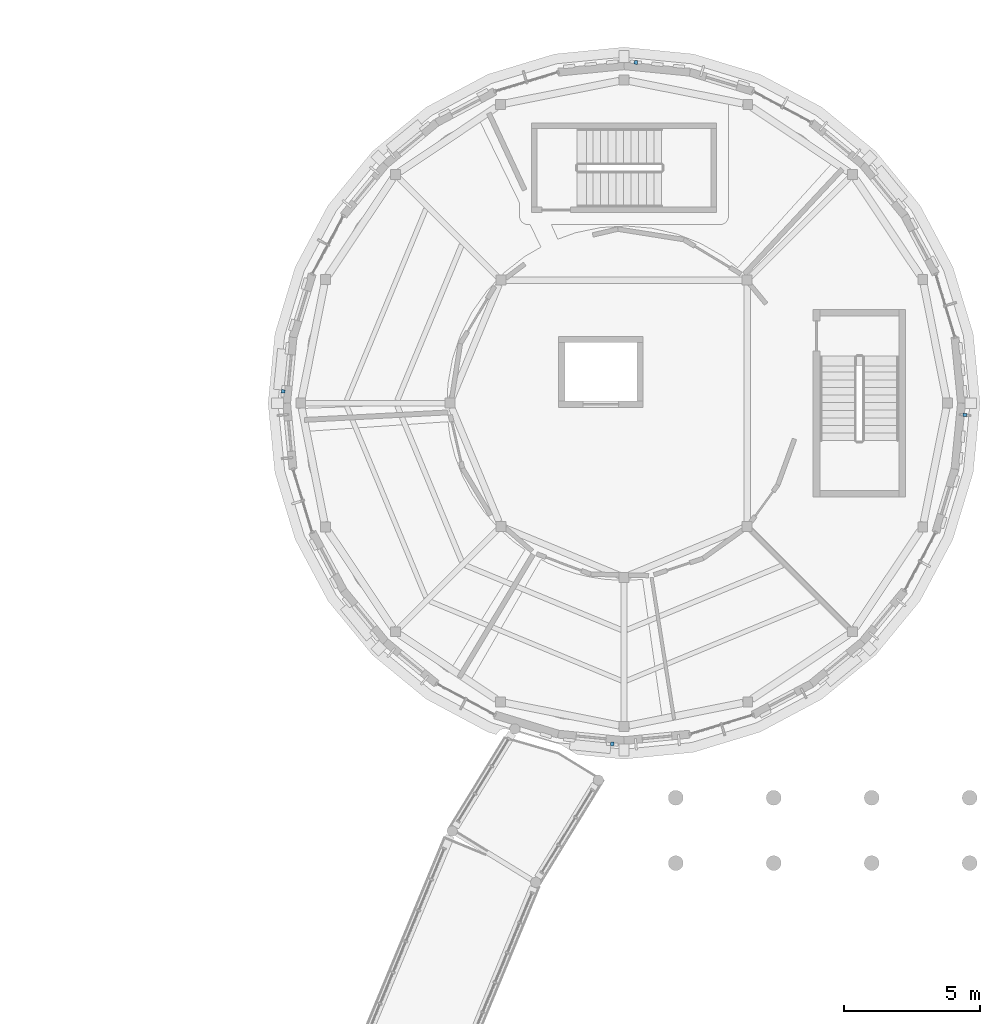
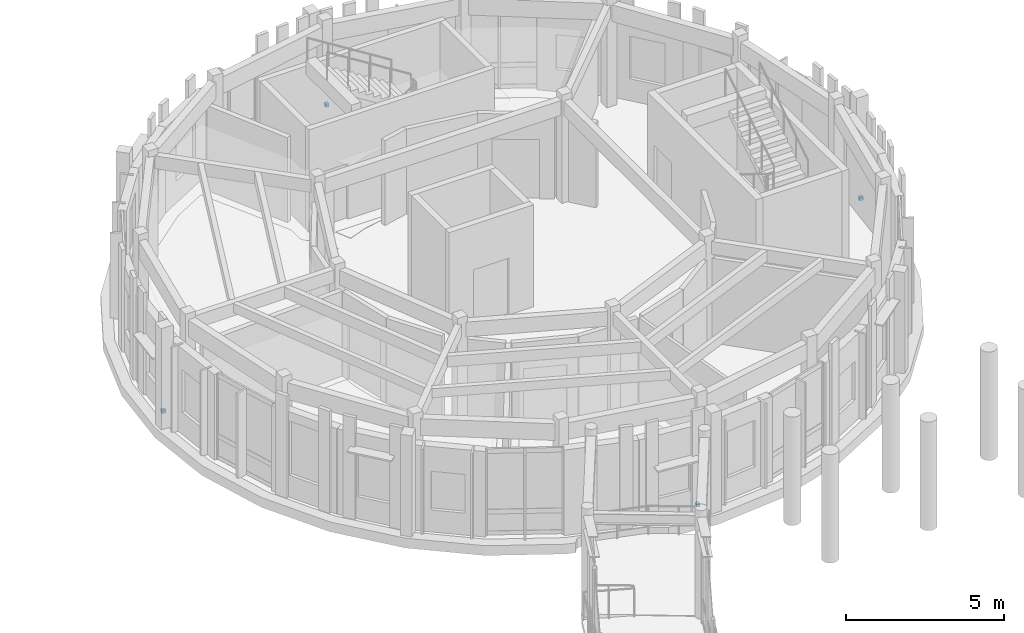
# One storey, part 64 of 80: 4 discrete accessories.
"""IFC4 building model written with IfcOpenShell, lengths in metres."""

from ifc_helpers import new_model, si_unit, direction, frame, origin, origin_2d, place, context, subcontext, project, spatial, rectangle, extrude, material, type_object, element, save


model = new_model("IFC4")

# Units and contexts
model_context = context("Model", 3, precision=1e-05, world=origin(), true_north=direction((0.0, 1.0)))
body_context = subcontext(model_context, "Body", "Model", "MODEL_VIEW")
ifc_project = project(units=[si_unit("LENGTHUNIT", "METRE"), si_unit("AREAUNIT", "SQUARE_METRE"), si_unit("VOLUMEUNIT", "CUBIC_METRE"), si_unit("PLANEANGLEUNIT", "RADIAN"), si_unit("MASSUNIT", "GRAM", prefix="KILO")], contexts=[model_context])

# Site, building, storey
site_placement = place(None, origin())
site = spatial("IfcSite", under=ifc_project, at=site_placement, CompositionType="ELEMENT")
building_placement = place(site_placement, origin())
building = spatial("IfcBuilding", under=site, at=building_placement, Name="Aldenvaro Health Centre", CompositionType="ELEMENT")
storey_placement = place(building_placement, frame((0.0, 0.0, 4.550048828125)))
storey = spatial("IfcBuildingStorey", under=building, at=storey_placement, Name="L01", CompositionType="ELEMENT", Elevation=4.550048828125)

# Discrete accessories
ifc_material = material(Name="Stainless Steel AISI 316", Category="steel")
discrete_accessory_type = type_object("IfcDiscreteAccessoryType", Name="ACC-BRK-01", PredefinedType="BRACKET", material=ifc_material)
for number, where, z_axis, x_axis, name in (
    (1, (167.02294921875, 99.06591796875, 0.18994140625), (0.0, 0.0, 1.0), (-0.097914988926, -0.995194782414, 0.0), "D2 L01 stainless fin bracket 1"),
    (2, (154.06591796875, 86.97705078125, 0.18994140625), (0.0, 0.0, 1.0), (-0.995194782414, 0.097914988926, 0.0), "D2 L01 stainless fin bracket 9"),
    (3, (141.97705078125, 99.93408203125, 0.18994140625), (0.0, 0.0, 1.0), (0.097914988926, 0.995194782414, 0.0), "D2 L01 stainless fin bracket 17"),
    (4, (154.93408203125, 112.02294921875, 0.18994140625), (0.0, 0.0, 1.0), (0.995194782414, -0.097914988926, 0.0), "D2 L01 stainless fin bracket 25"),
):
    element("IfcDiscreteAccessory", number, at=place(storey_placement, frame(where, z_axis=z_axis, x_axis=x_axis)), inside=storey, type_object=discrete_accessory_type, Name=name, PredefinedType="BRACKET", context=body_context, shape_type="SweptSolid", body=[
        extrude(rectangle(XDim=0.1201171875, YDim=0.139892578125, at=origin_2d()), origin(), (0.0, 0.0, 1.0), 0.1201171875),
    ])

save(model, "model.ifc")
